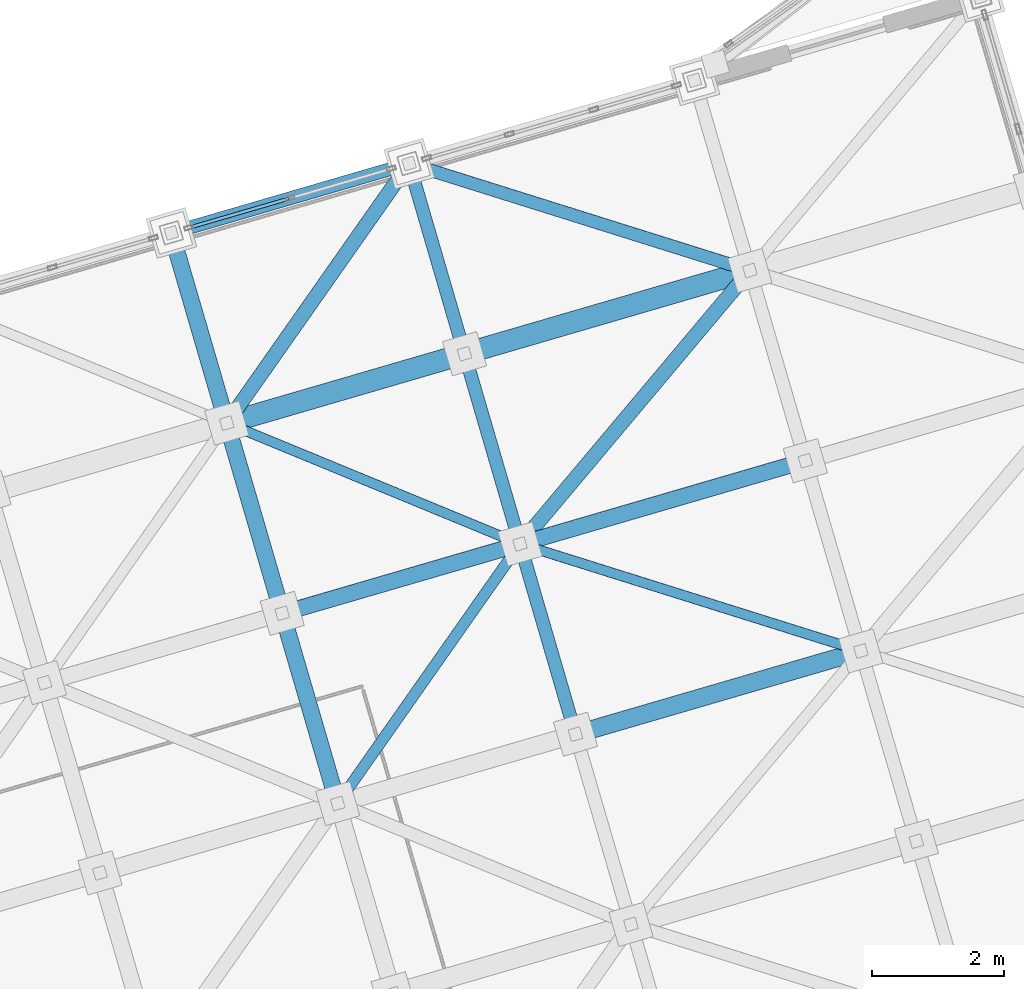
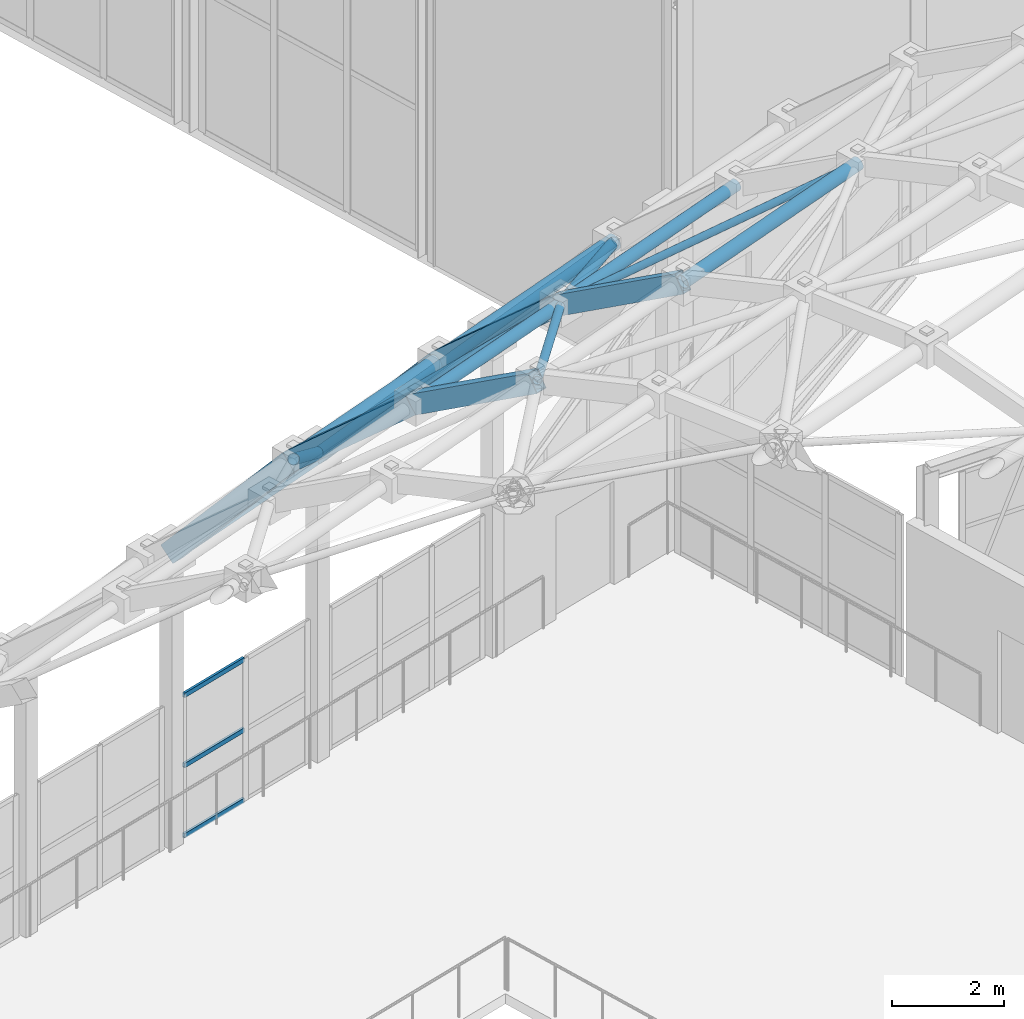
# One storey, part 119 of 248: 14 members, 7 beams, 1 element without a shape of its own.
"""IFC4 building model written with IfcOpenShell, lengths in metres."""

import ifcopenshell
import ifcopenshell.guid

model = None  # the IFC model being written
_history = None  # IfcOwnerHistory: only IFC2X3 demands one
_inside = {}  # id of a spatial element -> (the spatial element, [elements in it])
_under = {}  # id of a project, library or spatial element -> (it, [spatial elements below it])
_declared = {}  # id of a project -> (the project, [libraries it declares])
_typed = {}  # id of a type object -> (the type object, [elements of that type])
_made_of = {}  # id of a material, layer set ... -> (it, [elements and type objects made of it])


def new_model(schema):
    """Start an empty IFC model of exactly this schema.

    Asked for "IFC4X3", IfcOpenShell would pick the latest addendum, in which some entities
    have other attributes; the version numbers below select the first issue.
    IFC2X3 requires an IfcOwnerHistory on every rooted entity: one is made here for all.
    """
    global model, _history
    if schema == "IFC4X3":
        model = ifcopenshell.file(schema_version=(4, 3, 0, 0))
    else:
        model = ifcopenshell.file(schema=schema)
    _inside.clear()
    _under.clear()
    _declared.clear()
    _typed.clear()
    _made_of.clear()
    _history = None
    if model.schema == "IFC2X3":
        org = make("IfcOrganization", Name="unknown")
        user = make(
            "IfcPersonAndOrganization",
            ThePerson=make("IfcPerson", FamilyName="unknown"),
            TheOrganization=org,
        )
        app = make(
            "IfcApplication",
            ApplicationDeveloper=org,
            Version="unknown",
            ApplicationFullName="unknown",
            ApplicationIdentifier="unknown",
        )
        _history = make(
            "IfcOwnerHistory",
            OwningUser=user,
            OwningApplication=app,
            ChangeAction="ADDED",
            CreationDate=0,
        )
    return model


def make(cls, **values):
    """One entity of the class cls with the attributes given. An attribute that is None is left unset."""
    return model.create_entity(
        cls, **{name: value for name, value in values.items() if value is not None}
    )


def rooted(cls, **values):
    """An entity with a GlobalId (a new one), such as an element, a storey or a relation."""
    return make(cls, GlobalId=ifcopenshell.guid.new(), OwnerHistory=_history, **values)


def si_unit(unit_type, name, prefix=None):
    """IfcSIUnit, for example si_unit("LENGTHUNIT", "METRE", prefix="MILLI")."""
    return make("IfcSIUnit", UnitType=unit_type, Prefix=prefix, Name=name)


def assignment(units):
    """IfcUnitAssignment: the units of a project."""
    return None if units is None else make("IfcUnitAssignment", Units=units)


def point(xyz):
    """IfcCartesianPoint."""
    return None if xyz is None else make("IfcCartesianPoint", Coordinates=xyz)


def direction(xyz):
    """IfcDirection."""
    return None if xyz is None else make("IfcDirection", DirectionRatios=xyz)


def frame(location, z_axis=None, x_axis=None):
    """IfcAxis2Placement3D, a coordinate frame: its origin and axes. An axis left out is left unset."""
    return make(
        "IfcAxis2Placement3D",
        Location=point(location),
        Axis=direction(z_axis),
        RefDirection=direction(x_axis),
    )


def frame_2d(location, x_axis=None):
    """IfcAxis2Placement2D, a coordinate frame in the plane: its origin and x axis."""
    return make(
        "IfcAxis2Placement2D", Location=point(location), RefDirection=direction(x_axis)
    )


def origin():
    """The frame at (0, 0, 0) with its axes left unset."""
    return frame((0.0, 0.0, 0.0))


def origin_2d():
    """The frame at (0, 0) in the plane with its x axis left unset."""
    return frame_2d((0.0, 0.0))


def place(relative_to, where):
    """IfcLocalPlacement: puts the frame where relative to a parent placement (None: the world)."""
    return make(
        "IfcLocalPlacement", PlacementRelTo=relative_to, RelativePlacement=where
    )


def context(
    kind, dimensions, precision=None, world=None, true_north=None, identifier=None
):
    """IfcGeometricRepresentationContext, for example the 3D "Model" context."""
    return make(
        "IfcGeometricRepresentationContext",
        ContextIdentifier=identifier,
        ContextType=kind,
        CoordinateSpaceDimension=dimensions,
        Precision=precision,
        WorldCoordinateSystem=world,
        TrueNorth=true_north,
    )


def subcontext(parent, identifier, kind, view, scale=None):
    """IfcGeometricRepresentationSubContext, for example "Body" below "Model"."""
    return make(
        "IfcGeometricRepresentationSubContext",
        ContextIdentifier=identifier,
        ContextType=kind,
        ParentContext=parent,
        TargetScale=scale,
        TargetView=view,
    )


def project(units=None, contexts=None):
    """IfcProject with its units and contexts."""
    return rooted(
        "IfcProject",
        Name="project",
        RepresentationContexts=contexts,
        UnitsInContext=assignment(units),
    )


def spatial(cls, under=None, at=None, **own):
    """A site, building, storey or space (cls), placed at a placement, below another one or the project."""
    s = rooted(cls, ObjectPlacement=at, **own)
    if under is not None:
        _under.setdefault(under.id(), (under, []))[1].append(s)
    return s


def profile(cls, at=None, kind="AREA", **sizes):
    """A parametric profile (cls). Its sizes go by their IFC names, for example OverallWidth=200.0."""
    return make(cls, ProfileType=kind, Position=at, **sizes)


def hollow_rectangle(**sizes):
    """IfcRectangleHollowProfileDef."""
    return profile("IfcRectangleHollowProfileDef", **sizes)


def hollow_circle(**sizes):
    """IfcCircleHollowProfileDef."""
    return profile("IfcCircleHollowProfileDef", **sizes)


def extrude(swept, where, along, depth):
    """IfcExtrudedAreaSolid: the profile swept, set in the frame where, extruded along a direction by depth."""
    return make(
        "IfcExtrudedAreaSolid",
        SweptArea=swept,
        Position=where,
        ExtrudedDirection=direction(along),
        Depth=depth,
    )


def shape(context_of_items, identifier, shape_type, items):
    """IfcShapeRepresentation: the items that make up one representation, for example the "Body"."""
    return make(
        "IfcShapeRepresentation",
        ContextOfItems=context_of_items,
        RepresentationIdentifier=identifier,
        RepresentationType=shape_type,
        Items=items,
    )


def material(Name=None, Category=None):
    """IfcMaterial."""
    return make("IfcMaterial", Name=Name, Category=Category)


def layer(
    of_material, thickness, ventilated=None, Name=None, Category=None, Priority=None
):
    """IfcMaterialLayer: one layer of a wall or slab, of a material (None: an air gap)."""
    return make(
        "IfcMaterialLayer",
        Material=of_material,
        LayerThickness=thickness,
        IsVentilated=ventilated,
        Name=Name,
        Category=Category,
        Priority=Priority,
    )


def layer_set(layers, Name=None):
    """IfcMaterialLayerSet."""
    return make("IfcMaterialLayerSet", MaterialLayers=layers, LayerSetName=Name)


def material_profile(
    of_material, cross_section, Name=None, Category=None, Priority=None
):
    """IfcMaterialProfile: a cross section and its material."""
    return make(
        "IfcMaterialProfile",
        Name=Name,
        Material=of_material,
        Profile=cross_section,
        Priority=Priority,
        Category=Category,
    )


def profile_set(profiles, Name=None, composite=None):
    """IfcMaterialProfileSet."""
    return make(
        "IfcMaterialProfileSet",
        Name=Name,
        MaterialProfiles=profiles,
        CompositeProfile=composite,
    )


def made_of(thing, what):
    """Note that an element or type object is made of a material, layer set ...; save() writes the relation."""
    if what is not None:
        _made_of.setdefault(what.id(), (what, []))[1].append(thing)
    return thing


def type_object(cls, material=None, **own):
    """A type object (cls), such as IfcWallType, which elements share."""
    return made_of(rooted(cls, **own), material)


def element(
    cls,
    number,
    at=None,
    inside=None,
    cuts=None,
    type_object=None,
    material=None,
    context=None,
    identifier="Body",
    shape_type=None,
    held_by="IfcProductDefinitionShape",
    body=None,
    shapes=None,
    **own,
):
    """One element of the class cls, such as IfcWall. Its Tag is "e" and its number.

    at: its placement. inside: the storey or other place that contains it. cuts: it is an
    opening in that element (IfcRelVoidsElement). A single representation is given by context,
    identifier, shape_type and body (its items); several are given by shapes. held_by: the class
    of the entity that holds the representations. save() writes the other relations.
    """
    e = rooted(cls, Tag="e%d" % number, ObjectPlacement=at, **own)
    if body is not None:
        shapes = [shape(context, identifier, shape_type, body)]
    if shapes is not None:
        e.Representation = make(held_by, Representations=shapes)
    if inside is not None:
        _inside.setdefault(inside.id(), (inside, []))[1].append(e)
    if cuts is not None:
        rooted(
            "IfcRelVoidsElement", RelatingBuildingElement=cuts, RelatedOpeningElement=e
        )
    if type_object is not None:
        _typed.setdefault(type_object.id(), (type_object, []))[1].append(e)
    return made_of(e, material)


def aggregate(whole, parts):
    """IfcRelAggregates: a whole, such as a stair, and the parts it consists of."""
    return rooted("IfcRelAggregates", RelatingObject=whole, RelatedObjects=parts)


def save(model, path):
    """Write the relations noted so far, then the file.

    IfcRelAggregates (storeys below a building ...), IfcRelContainedInSpatialStructure (elements
    in a storey), IfcRelDefinesByType, IfcRelAssociatesMaterial and IfcRelDeclares: one each for
    every whole, place, type object, material and project.
    """
    for whole, parts in _under.values():
        aggregate(whole, parts)
    for where, things in _inside.values():
        rooted(
            "IfcRelContainedInSpatialStructure",
            RelatedElements=things,
            RelatingStructure=where,
        )
    for kind, things in _typed.values():
        rooted("IfcRelDefinesByType", RelatedObjects=things, RelatingType=kind)
    for what, things in _made_of.values():
        rooted("IfcRelAssociatesMaterial", RelatedObjects=things, RelatingMaterial=what)
    for by, libraries in _declared.values():
        rooted("IfcRelDeclares", RelatingContext=by, RelatedDefinitions=libraries)
    model.write(path)


model = new_model("IFC4")

# Units and contexts
model_context = context("Model", 3, precision=1e-05, world=origin(), true_north=direction((0.0, 1.0)))
body_context = subcontext(model_context, "Body", "Model", "MODEL_VIEW")
ifc_project = project(units=[si_unit("LENGTHUNIT", "METRE"), si_unit("AREAUNIT", "SQUARE_METRE"), si_unit("VOLUMEUNIT", "CUBIC_METRE"), si_unit("PLANEANGLEUNIT", "RADIAN"), si_unit("MASSUNIT", "GRAM", prefix="KILO")], contexts=[model_context])

# Site, building, storey
site_placement = place(None, origin())
site = spatial("IfcSite", under=ifc_project, at=site_placement, CompositionType="ELEMENT")
building_placement = place(site_placement, origin())
building = spatial("IfcBuilding", under=site, at=building_placement, Name="Canggui Botanical Conservatory", CompositionType="ELEMENT")
storey_placement = place(building_placement, frame((0.0, 0.0, 5.39990234375)))
storey = spatial("IfcBuildingStorey", under=building, at=storey_placement, Name="L02", CompositionType="ELEMENT", Elevation=5.39990234375)

# Beams
ifc_material_1 = material(Name="Steel Q355C", Category="steel")
ifc_material_profile_1 = material_profile(ifc_material_1, hollow_rectangle(XDim=0.25, YDim=0.39990234375, WallThickness=0.013916015625, at=origin_2d()), Name="RHS 250x400x14")
ifc_profile_set_1 = profile_set([ifc_material_profile_1], Name="Steel Q355C")
beam_type_1 = type_object("IfcBeamType", Name="BM-GJ03", PredefinedType="BEAM", material=ifc_profile_set_1)
beam_1_placement = place(storey_placement, frame((53.719970703125, 73.7099609375, 14.4140625), z_axis=(-0.23585528661, 0.808597737907, -0.539019463499), x_axis=(-0.959995442804, -0.2800156242, 0.0)))
element("IfcBeam", 1, at=beam_1_placement, inside=storey, type_object=beam_type_1, Name="Conservatory Stepped-Arch Rib GJ-12 Segment 8", PredefinedType="BEAM", context=body_context, shape_type="SweptSolid", body=[
    extrude(hollow_rectangle(XDim=0.25, YDim=0.39990234375, WallThickness=0.013916015625, at=origin_2d()), origin(), (0.0, 0.0, 1.0), 3.561767578125),
])
beam_2_placement = place(storey_placement, frame((52.8798828125, 76.590087890625, 12.494140625), z_axis=(-0.208504257707, 0.714975646487, -0.667334848069), x_axis=(-0.960010937337, -0.279962497833, 0.0)))
element("IfcBeam", 2, at=beam_2_placement, inside=storey, type_object=beam_type_1, Name="Conservatory Stepped-Arch Rib GJ-12 Segment 9", PredefinedType="BEAM", context=body_context, shape_type="SweptSolid", body=[
    extrude(hollow_rectangle(XDim=0.25, YDim=0.39990234375, WallThickness=0.013916015625, at=origin_2d()), origin(), (0.0, 0.0, 1.0), 4.02783203125),
])
beam_3_placement = place(storey_placement, frame((52.0400390625, 79.469970703125, 9.80615234375), z_axis=(-0.183561899057, 0.629316978545, -0.755159036051), x_axis=(-0.959995442804, -0.2800156242, 0.0)))
element("IfcBeam", 3, at=beam_3_placement, inside=storey, type_object=beam_type_1, Name="Conservatory Stepped-Arch Rib GJ-12 Segment 10", PredefinedType="BEAM", context=body_context, shape_type="SweptSolid", body=[
    extrude(hollow_rectangle(XDim=0.25, YDim=0.39990234375, WallThickness=0.013916015625, at=origin_2d()), origin(), (0.0, 0.0, 1.0), 4.57666015625),
])
ifc_material_profile_2 = material_profile(ifc_material_1, hollow_rectangle(XDim=0.199951171875, YDim=0.39990234375, WallThickness=0.011962890625, at=origin_2d()), Name="RHS 200x400x12")
ifc_profile_set_2 = profile_set([ifc_material_profile_2], Name="Steel Q355C")
beam_type_2 = type_object("IfcBeamType", Name="BM-GJ04", PredefinedType="BEAM", material=ifc_profile_set_2)
beam_4_placement = place(storey_placement, frame((57.320068359375, 74.760009765625, 14.6640625), z_axis=(-0.235868359053, 0.808574008543, -0.539049339028), x_axis=(-0.959989061447, -0.280037500885, 0.0)))
element("IfcBeam", 4, at=beam_4_placement, inside=storey, type_object=beam_type_2, Name="Conservatory Stepped-Arch Rib GJ-13 Segment 8", PredefinedType="BEAM", context=body_context, shape_type="SweptSolid", body=[
    extrude(hollow_rectangle(XDim=0.199951171875, YDim=0.39990234375, WallThickness=0.011962890625, at=origin_2d()), origin(), (0.0, 0.0, 1.0), 3.561767578125),
])
beam_5_placement = place(storey_placement, frame((56.47998046875, 77.639892578125, 12.744140625), z_axis=(-0.208553195479, 0.714996235706, -0.66729749556), x_axis=(-0.959995442804, -0.2800156242, 0.0)))
element("IfcBeam", 5, at=beam_5_placement, inside=storey, type_object=beam_type_2, Name="Conservatory Stepped-Arch Rib GJ-13 Segment 9", PredefinedType="BEAM", context=body_context, shape_type="SweptSolid", body=[
    extrude(hollow_rectangle(XDim=0.199951171875, YDim=0.39990234375, WallThickness=0.011962890625, at=origin_2d()), origin(), (0.0, 0.0, 1.0), 4.028076171875),
])
beam_6_placement = place(storey_placement, frame((55.639892578125, 80.52001953125, 10.05615234375), z_axis=(-0.183516511104, 0.629290920054, -0.755191782324), x_axis=(-0.960010937337, -0.279962497833, 0.0)))
element("IfcBeam", 6, at=beam_6_placement, inside=storey, type_object=beam_type_2, Name="Conservatory Stepped-Arch Rib GJ-13 Segment 10", PredefinedType="BEAM", context=body_context, shape_type="SweptSolid", body=[
    extrude(hollow_rectangle(XDim=0.199951171875, YDim=0.39990234375, WallThickness=0.011962890625, at=origin_2d()), origin(), (0.0, 0.0, 1.0), 4.576416015625),
])
ifc_material_profile_3 = material_profile(ifc_material_1, hollow_rectangle(XDim=0.199951171875, YDim=0.35009765625, WallThickness=0.011962890625, at=origin_2d()), Name="RHS 200x350x12")
ifc_profile_set_3 = profile_set([ifc_material_profile_3], Name="Steel Q355C")
beam_type_3 = type_object("IfcBeamType", Name="BM-RING01", PredefinedType="BEAM", material=ifc_profile_set_3)
beam_7_placement = place(storey_placement, frame((51.199951171875, 82.35009765625, 6.35009765625), z_axis=(0.957889800097, 0.279324979006, 0.066518320582), x_axis=(-0.279945000113, 0.960016039924, 0.0)))
element("IfcBeam", 7, at=beam_7_placement, inside=storey, type_object=beam_type_3, Name="Conservatory Perimeter Ring Beam V1-12", PredefinedType="BEAM", context=body_context, shape_type="SweptSolid", body=[
    extrude(hollow_rectangle(XDim=0.199951171875, YDim=0.35009765625, WallThickness=0.011962890625, at=origin_2d()), origin(), (0.0, 0.0, 1.0), 3.75830078125),
])

# Curtain wall, members
ifc_material_2 = material(Name="Thermally Broken Aluminium", Category="aluminium")
ifc_layer = layer(ifc_material_2, 0.135009765625, Name="Thermally Broken Aluminium", Category="aluminium")
ifc_layer_set = layer_set([ifc_layer], Name="Thermally Broken Aluminium")
curtain_wall_type = type_object("IfcCurtainWallType", Name="CW-STICK-A", PredefinedType="USERDEFINED", material=ifc_layer_set)
curtain_wall_placement = place(storey_placement, origin())
curtain_wall = element("IfcCurtainWall", 8, at=curtain_wall_placement, inside=storey, type_object=curtain_wall_type, Name="Facade Curtain Wall CW-CONS-L02-V1-12", ObjectType="STICK GLAZED WALL", PredefinedType="USERDEFINED")
ifc_material_profile_4 = material_profile(ifc_material_2, hollow_rectangle(XDim=0.050048828125, YDim=0.10009765625, WallThickness=0.0029296875, at=origin_2d()), Name="CWT 50x100x3")
ifc_profile_set_4 = profile_set([ifc_material_profile_4], Name="Thermally Broken Aluminium")
member_type_1 = type_object("IfcMemberType", Name="CWT-04", PredefinedType="USERDEFINED", material=ifc_profile_set_4)
member_1_placement = place(storey_placement, frame((51.49755859375, 82.436767578125, 0.025146484375), z_axis=(0.959978621933, 0.280073285822, 0.0), x_axis=(-0.280073285822, 0.959978621933, 0.0)))
member_1 = element("IfcMember", 9, at=member_1_placement, type_object=member_type_1, Name="CW-04 transom 1.1", ObjectType="TRANSOM", PredefinedType="USERDEFINED", context=body_context, shape_type="SweptSolid", body=[
    extrude(hollow_rectangle(XDim=0.050048828125, YDim=0.10009765625, WallThickness=0.0029296875, at=origin_2d()), origin(), (0.0, 0.0, 1.0), 1.53515625),
])
member_2_placement = place(storey_placement, frame((51.49755859375, 82.436767578125, 1.550048828125), z_axis=(0.959978621933, 0.280073285822, 0.0), x_axis=(-0.280073285822, 0.959978621933, 0.0)))
member_2 = element("IfcMember", 10, at=member_2_placement, type_object=member_type_1, Name="CW-04 transom 1.2", ObjectType="TRANSOM", PredefinedType="USERDEFINED", context=body_context, shape_type="SweptSolid", body=[
    extrude(hollow_rectangle(XDim=0.050048828125, YDim=0.10009765625, WallThickness=0.0029296875, at=origin_2d()), origin(), (0.0, 0.0, 1.0), 1.53515625),
])
member_3_placement = place(storey_placement, frame((51.49755859375, 82.436767578125, 3.0751953125), z_axis=(0.959978621933, 0.280073285822, 0.0), x_axis=(-0.280073285822, 0.959978621933, 0.0)))
member_3 = element("IfcMember", 11, at=member_3_placement, type_object=member_type_1, Name="CW-04 transom 1.3", ObjectType="TRANSOM", PredefinedType="USERDEFINED", context=body_context, shape_type="SweptSolid", body=[
    extrude(hollow_rectangle(XDim=0.050048828125, YDim=0.10009765625, WallThickness=0.0029296875, at=origin_2d()), origin(), (0.0, 0.0, 1.0), 1.53515625),
])
aggregate(curtain_wall, [member_1, member_2, member_3])

# Members
ifc_material_profile_5 = material_profile(ifc_material_1, hollow_circle(Radius=0.16259765625, WallThickness=0.011962890625, at=origin_2d()), Name="CHS 325x12")
ifc_profile_set_5 = profile_set([ifc_material_profile_5], Name="Steel Q355C")
member_type_2 = type_object("IfcMemberType", Name="MEM-GSC01", PredefinedType="CHORD", material=ifc_profile_set_5)
member_4_placement = place(storey_placement, frame((52.0400390625, 79.469970703125, 9.80615234375), z_axis=(0.957867059601, 0.279402253194, 0.066521252562), x_axis=(-0.280022500685, 0.959993437014, 0.0)))
element("IfcMember", 12, at=member_4_placement, inside=storey, type_object=member_type_2, Name="Conservatory Gridshell Longitudinal Chord 12-9", PredefinedType="CHORD", context=body_context, shape_type="SweptSolid", body=[
    extrude(hollow_circle(Radius=0.16259765625, WallThickness=0.011962890625, at=origin_2d()), origin(), (0.0, 0.0, 1.0), 3.75830078125),
])
member_5_placement = place(storey_placement, frame((55.639892578125, 80.52001953125, 10.05615234375), z_axis=(0.957873732332, 0.279377583078, 0.066528783105), x_axis=(-0.279997916698, 0.960000607627, 0.0)))
element("IfcMember", 13, at=member_5_placement, inside=storey, type_object=member_type_2, Name="Conservatory Gridshell Longitudinal Chord 13-9", PredefinedType="CHORD", context=body_context, shape_type="SweptSolid", body=[
    extrude(hollow_circle(Radius=0.16259765625, WallThickness=0.011962890625, at=origin_2d()), origin(), (0.0, 0.0, 1.0), 4.510009765625),
])
ifc_material_profile_6 = material_profile(ifc_material_1, hollow_circle(Radius=0.136474609375, WallThickness=0.010009765625, at=origin_2d()), Name="CHS 273x10")
ifc_profile_set_6 = profile_set([ifc_material_profile_6], Name="Steel Q355C")
member_type_3 = type_object("IfcMemberType", Name="MEM-GSC03", PredefinedType="CHORD", material=ifc_profile_set_6)
member_6_placement = place(storey_placement, frame((57.320068359375, 74.760009765625, 14.6640625), z_axis=(0.957869267253, 0.279392070097, 0.066532232929), x_axis=(-0.280012500437, 0.959996353951, 0.0)))
element("IfcMember", 14, at=member_6_placement, inside=storey, type_object=member_type_3, Name="Conservatory Gridshell Longitudinal Chord 13-7", PredefinedType="CHORD", context=body_context, shape_type="SweptSolid", body=[
    extrude(hollow_circle(Radius=0.136474609375, WallThickness=0.010009765625, at=origin_2d()), origin(), (0.0, 0.0, 1.0), 4.509765625),
])
ifc_material_profile_7 = material_profile(ifc_material_1, hollow_circle(Radius=0.12255859375, WallThickness=0.010009765625, at=origin_2d()), Name="CHS 245x10")
ifc_profile_set_7 = profile_set([ifc_material_profile_7], Name="Steel Q355C")
member_type_4 = type_object("IfcMemberType", Name="MEM-GSC04", PredefinedType="CHORD", material=ifc_profile_set_7)
member_7_placement = place(storey_placement, frame((52.8798828125, 76.590087890625, 12.494140625), z_axis=(0.957889800097, 0.279324979006, 0.066518320582), x_axis=(-0.279945000113, 0.960016039924, 0.0)))
element("IfcMember", 15, at=member_7_placement, inside=storey, type_object=member_type_4, Name="Conservatory Gridshell Longitudinal Chord 12-8", PredefinedType="CHORD", context=body_context, shape_type="SweptSolid", body=[
    extrude(hollow_circle(Radius=0.12255859375, WallThickness=0.010009765625, at=origin_2d()), origin(), (0.0, 0.0, 1.0), 3.75830078125),
])
member_8_placement = place(storey_placement, frame((56.47998046875, 77.639892578125, 12.744140625), z_axis=(0.957873732332, 0.279377583078, 0.066528783105), x_axis=(-0.279997916698, 0.960000607627, 0.0)))
element("IfcMember", 16, at=member_8_placement, inside=storey, type_object=member_type_4, Name="Conservatory Gridshell Longitudinal Chord 13-8", PredefinedType="CHORD", context=body_context, shape_type="SweptSolid", body=[
    extrude(hollow_circle(Radius=0.12255859375, WallThickness=0.010009765625, at=origin_2d()), origin(), (0.0, 0.0, 1.0), 4.510009765625),
])
ifc_material_profile_8 = material_profile(ifc_material_1, hollow_circle(Radius=0.109619140625, WallThickness=0.008056640625, at=origin_2d()), Name="CHS 219x8")
ifc_profile_set_8 = profile_set([ifc_material_profile_8], Name="Steel Q355C")
member_type_5 = type_object("IfcMemberType", Name="MEM-GSD01", PredefinedType="RAFTER", material=ifc_profile_set_8)
member_9_placement = place(storey_placement, frame((52.0400390625, 79.469970703125, 9.80615234375), z_axis=(0.477994158586, 0.680607870035, -0.555242750159), x_axis=(-0.818344854073, 0.574727500484, 0.0)))
element("IfcMember", 17, at=member_9_placement, inside=storey, type_object=member_type_5, Name="Conservatory Gridshell Diagrid Rafter 12-10", PredefinedType="RAFTER", context=body_context, shape_type="SweptSolid", body=[
    extrude(hollow_circle(Radius=0.109619140625, WallThickness=0.008056640625, at=origin_2d()), origin(), (0.0, 0.0, 1.0), 5.774169921875),
])
member_10_placement = place(storey_placement, frame((56.47998046875, 77.639892578125, 12.744140625), z_axis=(0.588617295583, 0.700278665533, -0.403905273474), x_axis=(-0.765498515628, 0.643437660206, 0.0)))
element("IfcMember", 18, at=member_10_placement, inside=storey, type_object=member_type_5, Name="Conservatory Gridshell Diagrid Rafter 13-9", PredefinedType="RAFTER", context=body_context, shape_type="SweptSolid", body=[
    extrude(hollow_circle(Radius=0.109619140625, WallThickness=0.008056640625, at=origin_2d()), origin(), (0.0, 0.0, 1.0), 5.912109375),
])
ifc_material_profile_9 = material_profile(ifc_material_1, hollow_circle(Radius=0.096923828125, WallThickness=0.008056640625, at=origin_2d()), Name="CHS 194x8")
ifc_profile_set_9 = profile_set([ifc_material_profile_9], Name="Steel Q355C")
member_type_6 = type_object("IfcMemberType", Name="MEM-GSD02", PredefinedType="RAFTER", material=ifc_profile_set_9)
member_11_placement = place(storey_placement, frame((54.800048828125, 83.39990234375, 6.60009765625), z_axis=(0.783632998326, -0.246009223747, 0.570437363579), x_axis=(0.299521382306, 0.954089587797, 0.0)))
element("IfcMember", 19, at=member_11_placement, inside=storey, type_object=member_type_6, Name="Conservatory Gridshell Diagrid Rafter 13-10", PredefinedType="RAFTER", context=body_context, shape_type="SweptSolid", body=[
    extrude(hollow_circle(Radius=0.096923828125, WallThickness=0.008056640625, at=origin_2d()), origin(), (0.0, 0.0, 1.0), 6.584716796875),
])
ifc_material_profile_10 = material_profile(ifc_material_1, hollow_circle(Radius=0.083984375, WallThickness=0.008056640625, at=origin_2d()), Name="CHS 168x8")
ifc_profile_set_10 = profile_set([ifc_material_profile_10], Name="Steel Q355C")
member_type_7 = type_object("IfcMemberType", Name="MEM-GSD03", PredefinedType="RAFTER", material=ifc_profile_set_10)
member_12_placement = place(storey_placement, frame((53.719970703125, 73.7099609375, 14.4140625), z_axis=(0.542843744059, 0.77294610775, -0.328443273716), x_axis=(-0.818344854073, 0.574727500484, 0.0)))
element("IfcMember", 20, at=member_12_placement, inside=storey, type_object=member_type_7, Name="Conservatory Gridshell Diagrid Rafter 12-8", PredefinedType="RAFTER", context=body_context, shape_type="SweptSolid", body=[
    extrude(hollow_circle(Radius=0.083984375, WallThickness=0.008056640625, at=origin_2d()), origin(), (0.0, 0.0, 1.0), 5.08447265625),
])
ifc_material_profile_11 = material_profile(ifc_material_1, hollow_circle(Radius=0.075927734375, WallThickness=0.006103515625, at=origin_2d()), Name="CHS 152x6")
ifc_profile_set_11 = profile_set([ifc_material_profile_11], Name="Steel Q355C")
member_type_8 = type_object("IfcMemberType", Name="MEM-GSD04", PredefinedType="RAFTER", material=ifc_profile_set_11)
member_13_placement = place(storey_placement, frame((52.0400390625, 79.469970703125, 9.80615234375), z_axis=(0.788657490704, -0.325072943491, 0.521868703571), x_axis=(0.381082183428, 0.924541166998, 0.0)))
element("IfcMember", 21, at=member_13_placement, inside=storey, type_object=member_type_8, Name="Conservatory Gridshell Diagrid Rafter 12-9", PredefinedType="RAFTER", context=body_context, shape_type="SweptSolid", body=[
    extrude(hollow_circle(Radius=0.075927734375, WallThickness=0.006103515625, at=origin_2d()), origin(), (0.0, 0.0, 1.0), 5.629638671875),
])
member_14_placement = place(storey_placement, frame((56.47998046875, 77.639892578125, 12.744140625), z_axis=(0.882623817362, -0.277085830527, 0.379734959606), x_axis=(0.299521382306, 0.954089587797, 0.0)))
element("IfcMember", 22, at=member_14_placement, inside=storey, type_object=member_type_8, Name="Conservatory Gridshell Diagrid Rafter 13-8", PredefinedType="RAFTER", context=body_context, shape_type="SweptSolid", body=[
    extrude(hollow_circle(Radius=0.075927734375, WallThickness=0.006103515625, at=origin_2d()), origin(), (0.0, 0.0, 1.0), 5.84619140625),
])

save(model, "model.ifc")
